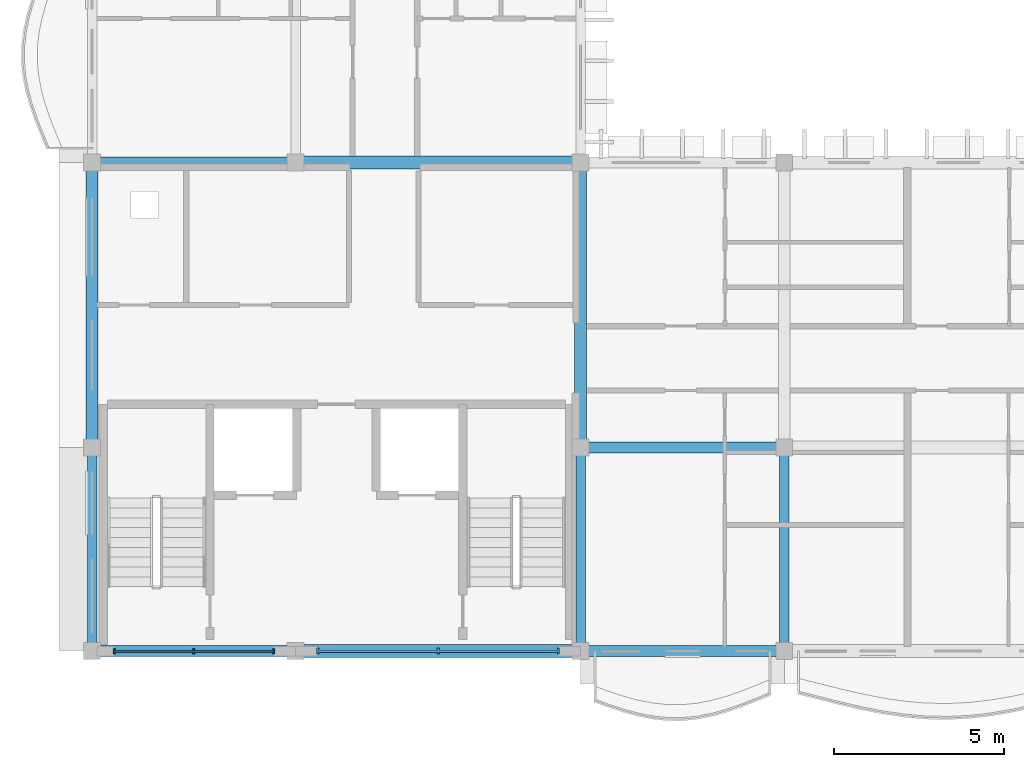
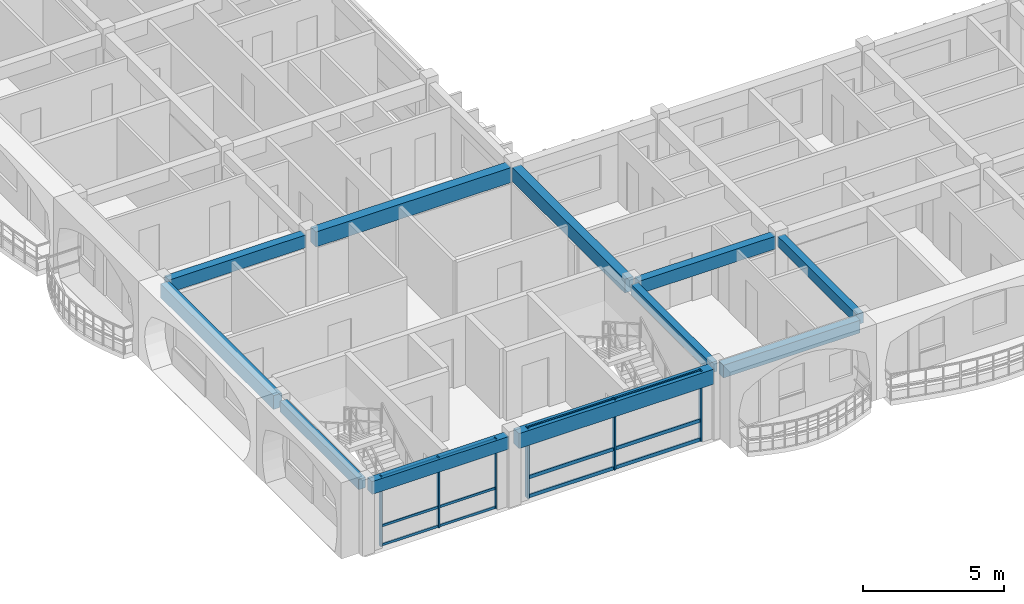
# One storey, part 3 of 68: 12 members, 11 beams, 2 elements without a shape of their own.
"""IFC4 building model written with IfcOpenShell, lengths in metres."""

from ifc_helpers import new_model, si_unit, direction, frame, origin, origin_2d, place, context, subcontext, project, spatial, rectangle, extrude, material, material_profile, profile_set, type_object, element, aggregate, save


model = new_model("IFC4")

# Units and contexts
model_context = context("Model", 3, precision=1e-05, world=origin(), true_north=direction((0.0, 1.0)))
body_context = subcontext(model_context, "Body", "Model", "MODEL_VIEW")
ifc_project = project(units=[si_unit("LENGTHUNIT", "METRE"), si_unit("AREAUNIT", "SQUARE_METRE"), si_unit("VOLUMEUNIT", "CUBIC_METRE"), si_unit("PLANEANGLEUNIT", "RADIAN"), si_unit("MASSUNIT", "GRAM", prefix="KILO"), si_unit("THERMODYNAMICTEMPERATUREUNIT", "KELVIN")], contexts=[model_context])

# Site, building, storey
site_placement = place(None, origin())
site = spatial("IfcSite", under=ifc_project, at=site_placement, CompositionType="ELEMENT")
building_placement = place(site_placement, origin())
building = spatial("IfcBuilding", under=site, at=building_placement, Name="Thalorik Housing Commons", CompositionType="ELEMENT")
storey_placement = place(building_placement, frame((0.0, 0.0, 24.60009765625)))
storey = spatial("IfcBuildingStorey", under=building, at=storey_placement, Name="L07", CompositionType="ELEMENT", Elevation=24.60009765625)

# Curtain wall, members
ifc_material_1 = material(Name="Anodised aluminium and solar-control low-E glass", Category="aluminium")
curtain_wall_type = type_object("IfcCurtainWallType", Name="ARC-CW-CORE", PredefinedType="USERDEFINED", material=ifc_material_1)
curtain_wall_1_placement = place(storey_placement, origin())
curtain_wall_1 = element("IfcCurtainWall", 1, at=curtain_wall_1_placement, inside=storey, type_object=curtain_wall_type, Name="L07 Curtain Wall CW-CORE-L07-C-158", ObjectType="CURTAIN WALL", PredefinedType="USERDEFINED")
ifc_material_2 = material(Name="Anodised aluminium 6063-T6", Category="aluminium")
ifc_material_profile_1 = material_profile(ifc_material_2, rectangle(XDim=0.054931640625, YDim=0.139892578125, at=origin_2d()), Name="ALU MUL 55x140", Category="aluminium")
ifc_profile_set_1 = profile_set([ifc_material_profile_1], Name="Anodised aluminium 6063-T6")
member_type_1 = type_object("IfcMemberType", Name="ARC-CW-MUL-55x140", PredefinedType="MULLION", material=ifc_profile_set_1)
member_1_placement = place(storey_placement, frame((9.050048828125, 8.39990234375, 0.0), z_axis=(0.0, 0.0, 1.0), x_axis=(1.0, 0.0, 0.0)))
member_1 = element("IfcMember", 2, at=member_1_placement, type_object=member_type_1, Name="CW-CORE-L07-C-158 Mullion 1", PredefinedType="MULLION", context=body_context, shape_type="SweptSolid", body=[
    extrude(rectangle(XDim=0.054931640625, YDim=0.139892578125, at=origin_2d()), origin(), (0.0, 0.0, 1.0), 3.039794921875),
])
member_2_placement = place(storey_placement, frame((11.39990234375, 8.39990234375, 0.0), z_axis=(0.0, 0.0, 1.0), x_axis=(1.0, 0.0, 0.0)))
member_2 = element("IfcMember", 3, at=member_2_placement, type_object=member_type_1, Name="CW-CORE-L07-C-158 Mullion 2", PredefinedType="MULLION", context=body_context, shape_type="SweptSolid", body=[
    extrude(rectangle(XDim=0.054931640625, YDim=0.139892578125, at=origin_2d()), origin(), (0.0, 0.0, 1.0), 3.039794921875),
])
member_3_placement = place(storey_placement, frame((13.75, 8.39990234375, 0.0), z_axis=(0.0, 0.0, 1.0), x_axis=(1.0, 0.0, 0.0)))
member_3 = element("IfcMember", 4, at=member_3_placement, type_object=member_type_1, Name="CW-CORE-L07-C-158 Mullion 3", PredefinedType="MULLION", context=body_context, shape_type="SweptSolid", body=[
    extrude(rectangle(XDim=0.054931640625, YDim=0.139892578125, at=origin_2d()), origin(), (0.0, 0.0, 1.0), 3.039794921875),
])

curtain_wall_2_placement = place(storey_placement, origin())
curtain_wall_2 = element("IfcCurtainWall", 5, at=curtain_wall_2_placement, inside=storey, type_object=curtain_wall_type, Name="L07 Curtain Wall CW-CORE-L07-C-159", ObjectType="CURTAIN WALL", PredefinedType="USERDEFINED")
ifc_material_profile_2 = material_profile(ifc_material_2, rectangle(XDim=0.06494140625, YDim=0.179931640625, at=origin_2d()), Name="ALU MUL 65x180", Category="aluminium")
ifc_profile_set_2 = profile_set([ifc_material_profile_2], Name="Anodised aluminium 6063-T6")
member_type_2 = type_object("IfcMemberType", Name="ARC-CW-MUL-65x180", PredefinedType="MULLION", material=ifc_profile_set_2)
member_4_placement = place(storey_placement, frame((15.050048828125, 8.39990234375, 0.0), z_axis=(0.0, 0.0, 1.0), x_axis=(1.0, 0.0, 0.0)))
member_4 = element("IfcMember", 6, at=member_4_placement, type_object=member_type_2, Name="CW-CORE-L07-C-159 Mullion 1", PredefinedType="MULLION", context=body_context, shape_type="SweptSolid", body=[
    extrude(rectangle(XDim=0.06494140625, YDim=0.179931640625, at=origin_2d()), origin(), (0.0, 0.0, 1.0), 3.039794921875),
])
member_5_placement = place(storey_placement, frame((18.60009765625, 8.39990234375, 0.0), z_axis=(0.0, 0.0, 1.0), x_axis=(1.0, 0.0, 0.0)))
member_5 = element("IfcMember", 7, at=member_5_placement, type_object=member_type_2, Name="CW-CORE-L07-C-159 Mullion 2", PredefinedType="MULLION", context=body_context, shape_type="SweptSolid", body=[
    extrude(rectangle(XDim=0.06494140625, YDim=0.179931640625, at=origin_2d()), origin(), (0.0, 0.0, 1.0), 3.039794921875),
])
member_6_placement = place(storey_placement, frame((22.14990234375, 8.39990234375, 0.0), z_axis=(0.0, 0.0, 1.0), x_axis=(1.0, 0.0, 0.0)))
member_6 = element("IfcMember", 8, at=member_6_placement, type_object=member_type_2, Name="CW-CORE-L07-C-159 Mullion 3", PredefinedType="MULLION", context=body_context, shape_type="SweptSolid", body=[
    extrude(rectangle(XDim=0.06494140625, YDim=0.179931640625, at=origin_2d()), origin(), (0.0, 0.0, 1.0), 3.039794921875),
])

# Member
ifc_material_profile_3 = material_profile(ifc_material_2, rectangle(XDim=0.054931640625, YDim=0.10498046875, at=origin_2d()), Name="ALU TRN 55x105", Category="aluminium")
ifc_profile_set_3 = profile_set([ifc_material_profile_3], Name="Anodised aluminium 6063-T6")
member_type_3 = type_object("IfcMemberType", Name="ARC-CW-TRN-55x105", PredefinedType="USERDEFINED", material=ifc_profile_set_3)
member_7_placement = place(storey_placement, frame((9.050048828125, 8.39990234375, 0.054931640625), z_axis=(1.0, 0.0, 0.0), x_axis=(0.0, 1.0, 0.0)))
member_7 = element("IfcMember", 9, at=member_7_placement, type_object=member_type_3, Name="CW-CORE-L07-C-158 Transom 1", ObjectType="TRANSOM", PredefinedType="USERDEFINED", context=body_context, shape_type="SweptSolid", body=[
    extrude(rectangle(XDim=0.054931640625, YDim=0.10498046875, at=origin_2d()), origin(), (0.0, 0.0, 1.0), 4.699951171875),
])

member_8_placement = place(storey_placement, frame((9.050048828125, 8.39990234375, 0.8798828125), z_axis=(1.0, 0.0, 0.0), x_axis=(0.0, 1.0, 0.0)))
member_8 = element("IfcMember", 10, at=member_8_placement, type_object=member_type_3, Name="CW-CORE-L07-C-158 Transom 2", ObjectType="TRANSOM", PredefinedType="USERDEFINED", context=body_context, shape_type="SweptSolid", body=[
    extrude(rectangle(XDim=0.054931640625, YDim=0.10498046875, at=origin_2d()), origin(), (0.0, 0.0, 1.0), 4.699951171875),
])

member_9_placement = place(storey_placement, frame((9.050048828125, 8.39990234375, 2.98486328125), z_axis=(1.0, 0.0, 0.0), x_axis=(0.0, 1.0, 0.0)))
member_9 = element("IfcMember", 11, at=member_9_placement, type_object=member_type_3, Name="CW-CORE-L07-C-158 Transom 3", ObjectType="TRANSOM", PredefinedType="USERDEFINED", context=body_context, shape_type="SweptSolid", body=[
    extrude(rectangle(XDim=0.054931640625, YDim=0.10498046875, at=origin_2d()), origin(), (0.0, 0.0, 1.0), 4.699951171875),
])

aggregate(curtain_wall_1, [member_1, member_2, member_3, member_7, member_8, member_9])

ifc_material_profile_4 = material_profile(ifc_material_2, rectangle(XDim=0.06494140625, YDim=0.14990234375, at=origin_2d()), Name="ALU TRN 65x150", Category="aluminium")
ifc_profile_set_4 = profile_set([ifc_material_profile_4], Name="Anodised aluminium 6063-T6")
member_type_4 = type_object("IfcMemberType", Name="ARC-CW-TRN-65x150", PredefinedType="USERDEFINED", material=ifc_profile_set_4)
member_10_placement = place(storey_placement, frame((15.050048828125, 8.39990234375, 0.054931640625), z_axis=(1.0, 0.0, 0.0), x_axis=(0.0, 1.0, 0.0)))
member_10 = element("IfcMember", 12, at=member_10_placement, type_object=member_type_4, Name="CW-CORE-L07-C-159 Transom 1", ObjectType="TRANSOM", PredefinedType="USERDEFINED", context=body_context, shape_type="SweptSolid", body=[
    extrude(rectangle(XDim=0.06494140625, YDim=0.14990234375, at=origin_2d()), origin(), (0.0, 0.0, 1.0), 7.099853515625),
])

member_11_placement = place(storey_placement, frame((15.050048828125, 8.39990234375, 0.8798828125), z_axis=(1.0, 0.0, 0.0), x_axis=(0.0, 1.0, 0.0)))
member_11 = element("IfcMember", 13, at=member_11_placement, type_object=member_type_4, Name="CW-CORE-L07-C-159 Transom 2", ObjectType="TRANSOM", PredefinedType="USERDEFINED", context=body_context, shape_type="SweptSolid", body=[
    extrude(rectangle(XDim=0.06494140625, YDim=0.14990234375, at=origin_2d()), origin(), (0.0, 0.0, 1.0), 7.099853515625),
])

member_12_placement = place(storey_placement, frame((15.050048828125, 8.39990234375, 2.98486328125), z_axis=(1.0, 0.0, 0.0), x_axis=(0.0, 1.0, 0.0)))
member_12 = element("IfcMember", 14, at=member_12_placement, type_object=member_type_4, Name="CW-CORE-L07-C-159 Transom 3", ObjectType="TRANSOM", PredefinedType="USERDEFINED", context=body_context, shape_type="SweptSolid", body=[
    extrude(rectangle(XDim=0.06494140625, YDim=0.14990234375, at=origin_2d()), origin(), (0.0, 0.0, 1.0), 7.099853515625),
])

aggregate(curtain_wall_2, [member_4, member_5, member_6, member_10, member_11, member_12])

# Beams
ifc_material_3 = material(Name="Precast concrete C40/50", Category="concrete")
ifc_material_profile_5 = material_profile(ifc_material_3, rectangle(XDim=0.280029296875, YDim=0.449951171875, at=origin_2d()), Name="PC 280x450", Category="concrete")
ifc_profile_set_5 = profile_set([ifc_material_profile_5], Name="Precast concrete C40/50")
beam_type_1 = type_object("IfcBeamType", Name="STR-BM-PC280x450", PredefinedType="BEAM", material=ifc_profile_set_5)
for number, where, z_axis, x_axis, name in (
    (15, (8.39990234375, 8.60009765625, 2.81494140625), (0.0, 1.0, 0.0), (-1.0, 0.0, 0.0), "L07 Beam B-450"),
    (16, (22.800048828125, 8.60009765625, 2.81494140625), (0.0, 1.0, 0.0), (-1.0, 0.0, 0.0), "L07 Beam B-450"),
    (17, (28.800048828125, 8.60009765625, 2.81494140625), (0.0, 1.0, 0.0), (-1.0, 0.0, 0.0), "L07 Beam B-450"),
):
    element("IfcBeam", number, at=place(storey_placement, frame(where, z_axis=z_axis, x_axis=x_axis)), inside=storey, type_object=beam_type_1, Name=name, PredefinedType="BEAM", context=body_context, shape_type="SweptSolid", body=[
        extrude(rectangle(XDim=0.280029296875, YDim=0.449951171875, at=origin_2d()), origin(), (0.0, 0.0, 1.0), 5.599853515625),
    ])
ifc_material_profile_6 = material_profile(ifc_material_3, rectangle(XDim=0.320068359375, YDim=0.550048828125, at=origin_2d()), Name="PC 320x550", Category="concrete")
ifc_profile_set_6 = profile_set([ifc_material_profile_6], Name="Precast concrete C40/50")
beam_type_2 = type_object("IfcBeamType", Name="STR-BM-PC320x550", PredefinedType="BEAM", material=ifc_profile_set_6)
beam_1_placement = place(storey_placement, frame((8.60009765625, 8.39990234375, 2.764892578125), z_axis=(1.0, 0.0, 0.0), x_axis=(0.0, 1.0, 0.0)))
element("IfcBeam", 18, at=beam_1_placement, inside=storey, type_object=beam_type_2, Name="L07 Beam B-550", PredefinedType="BEAM", context=body_context, shape_type="SweptSolid", body=[
    extrude(rectangle(XDim=0.320068359375, YDim=0.550048828125, at=origin_2d()), origin(), (0.0, 0.0, 1.0), 5.599853515625),
])
for number, where, z_axis, x_axis, name in (
    (19, (23.0, 8.39990234375, 2.764892578125), (1.0, 0.0, 0.0), (0.0, 1.0, 0.0), "L07 Beam B-550"),
    (20, (23.0, 14.39990234375, 2.764892578125), (1.0, 0.0, 0.0), (0.0, 1.0, 0.0), "L07 Beam B-550"),
):
    element("IfcBeam", number, at=place(storey_placement, frame(where, z_axis=z_axis, x_axis=x_axis)), inside=storey, type_object=beam_type_2, Name=name, PredefinedType="BEAM", context=body_context, shape_type="SweptSolid", body=[
        extrude(rectangle(XDim=0.320068359375, YDim=0.550048828125, at=origin_2d()), origin(), (0.0, 0.0, 1.0), 5.60009765625),
    ])
beam_2_placement = place(storey_placement, frame((8.60009765625, 22.800048828125, 2.764892578125), z_axis=(1.0, 0.0, 0.0), x_axis=(0.0, 1.0, 0.0)))
element("IfcBeam", 21, at=beam_2_placement, inside=storey, type_object=beam_type_2, Name="L07 Beam B-550", PredefinedType="BEAM", context=body_context, shape_type="SweptSolid", body=[
    extrude(rectangle(XDim=0.320068359375, YDim=0.550048828125, at=origin_2d()), origin(), (0.0, 0.0, 1.0), 5.599853515625),
])
ifc_material_profile_7 = material_profile(ifc_material_3, rectangle(XDim=0.35009765625, YDim=0.60009765625, at=origin_2d()), Name="PC 350x600", Category="concrete")
ifc_profile_set_7 = profile_set([ifc_material_profile_7], Name="Precast concrete C40/50")
beam_type_3 = type_object("IfcBeamType", Name="STR-BM-PC350x600", PredefinedType="BEAM", material=ifc_profile_set_7)
for number, where, z_axis, x_axis, name in (
    (22, (8.39990234375, 14.60009765625, 2.739990234375), (0.0, 1.0, 0.0), (-1.0, 0.0, 0.0), "L07 Beam B-600"),
    (23, (22.800048828125, 14.60009765625, 2.739990234375), (0.0, 1.0, 0.0), (-1.0, 0.0, 0.0), "L07 Beam B-600"),
):
    element("IfcBeam", number, at=place(storey_placement, frame(where, z_axis=z_axis, x_axis=x_axis)), inside=storey, type_object=beam_type_3, Name=name, PredefinedType="BEAM", context=body_context, shape_type="SweptSolid", body=[
        extrude(rectangle(XDim=0.35009765625, YDim=0.60009765625, at=origin_2d()), origin(), (0.0, 0.0, 1.0), 8.0),
    ])
ifc_material_profile_8 = material_profile(ifc_material_3, rectangle(XDim=0.3798828125, YDim=0.64990234375, at=origin_2d()), Name="PC 380x650", Category="concrete")
ifc_profile_set_8 = profile_set([ifc_material_profile_8], Name="Precast concrete C40/50")
beam_type_4 = type_object("IfcBeamType", Name="STR-BM-PC380x650", PredefinedType="BEAM", material=ifc_profile_set_8)
for number, where, z_axis, x_axis, name in (
    (24, (14.60009765625, 8.39990234375, 2.71484375), (1.0, 0.0, 0.0), (0.0, 1.0, 0.0), "L07 Beam B-650"),
    (25, (14.60009765625, 22.800048828125, 2.71484375), (1.0, 0.0, 0.0), (0.0, 1.0, 0.0), "L07 Beam B-650"),
):
    element("IfcBeam", number, at=place(storey_placement, frame(where, z_axis=z_axis, x_axis=x_axis)), inside=storey, type_object=beam_type_4, Name=name, PredefinedType="BEAM", context=body_context, shape_type="SweptSolid", body=[
        extrude(rectangle(XDim=0.3798828125, YDim=0.64990234375, at=origin_2d()), origin(), (0.0, 0.0, 1.0), 8.0),
    ])

save(model, "model.ifc")
